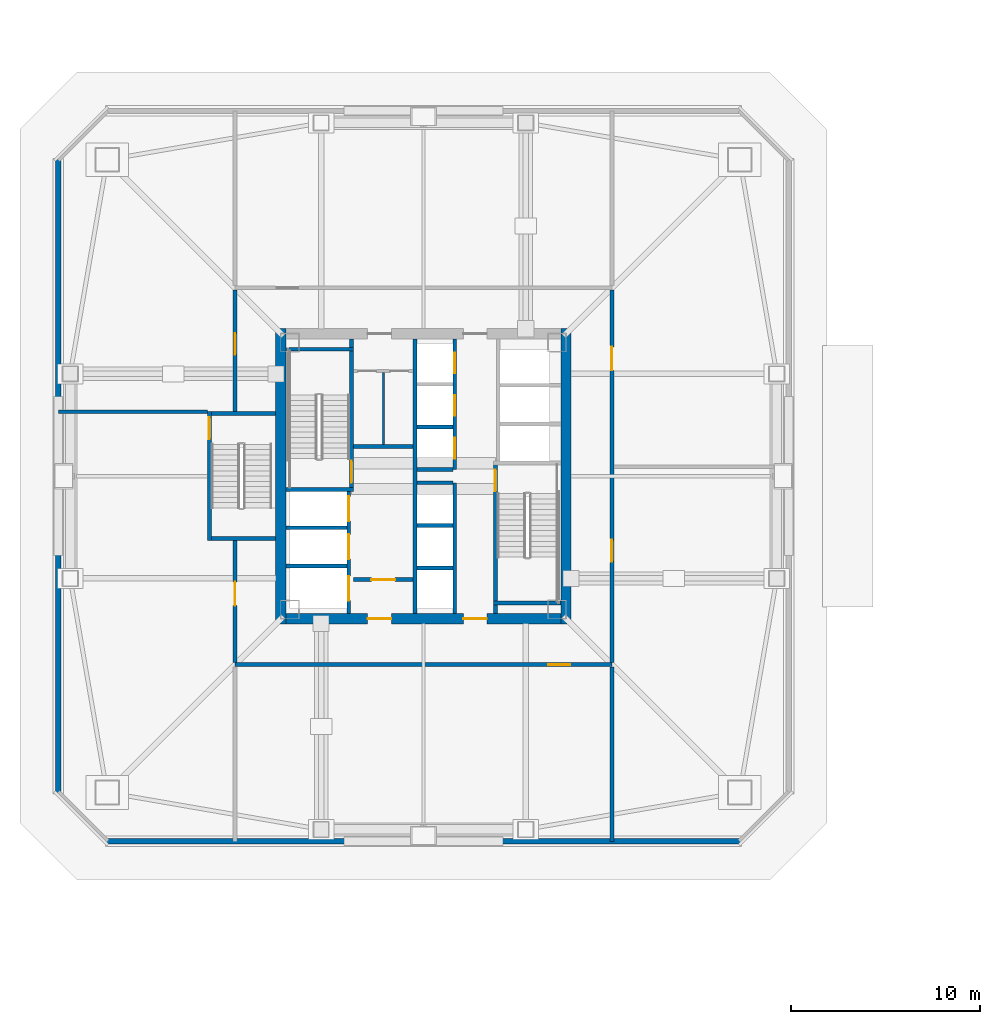
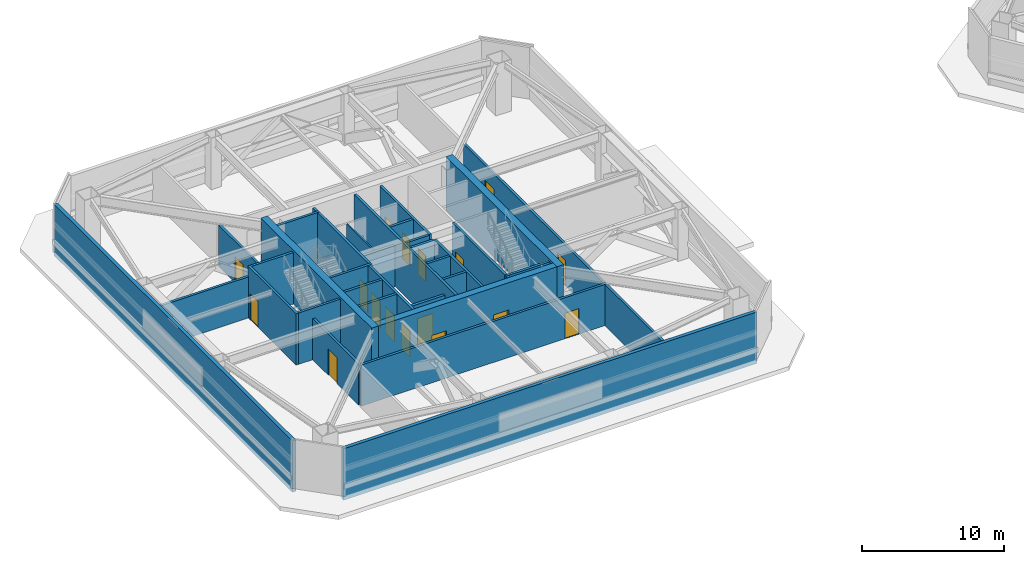
# One storey, part 5 of 15: 33 walls, 17 doors, 17 openings.
"""IFC4 building model written with IfcOpenShell, lengths in metres."""

from ifc_helpers import new_model, si_unit, direction, frame, frame_2d, origin, place, context, subcontext, project, spatial, rectangle, extrude, material, layer, layer_set, type_object, element, fill, save


model = new_model("IFC4")

# Units and contexts
model_context = context("Model", 3, precision=1e-05, world=origin(), true_north=direction((0.0, 1.0)))
body_context = subcontext(model_context, "Body", "Model", "MODEL_VIEW")
ifc_project = project(units=[si_unit("LENGTHUNIT", "METRE"), si_unit("AREAUNIT", "SQUARE_METRE"), si_unit("VOLUMEUNIT", "CUBIC_METRE"), si_unit("PLANEANGLEUNIT", "RADIAN"), si_unit("MASSUNIT", "GRAM", prefix="KILO")], contexts=[model_context])

# Site, building, storey
site_placement = place(None, origin())
site = spatial("IfcSite", under=ifc_project, at=site_placement, CompositionType="ELEMENT")
building_placement = place(site_placement, origin())
building = spatial("IfcBuilding", under=site, at=building_placement, Name="Tashvorn Skyway Center", CompositionType="ELEMENT")
storey_placement = place(building_placement, frame((0.0, 0.0, 109.800048828125)))
storey = spatial("IfcBuildingStorey", under=building, at=storey_placement, Name="L29", CompositionType="ELEMENT", Elevation=109.800048828125)

# Walls
ifc_material_1 = material(Name="Concrete C60/75", Category="concrete")
ifc_layer_1 = layer(ifc_material_1, 0.550048828125)
ifc_layer_set_1 = layer_set([ifc_layer_1], Name="Concrete C60/75")
wall_type_1 = type_object("IfcWallType", Name="WALL-CORE-550", PredefinedType="SHEAR", material=ifc_layer_set_1)
for number, where, z_axis, x_axis, name in (
    (1, (34.47509765625, 24.199951171875, 0.0), (0.0, 0.0, 1.0), (0.0, 1.0, 0.0), "Tower 1 L29 West Core Shear Wall"),
    (2, (49.52490234375, 39.800048828125, 0.0), (0.0, 0.0, 1.0), (0.0, -1.0, 0.0), "Tower 1 L29 East Core Shear Wall"),
):
    element("IfcWall", number, at=place(storey_placement, frame(where, z_axis=z_axis, x_axis=x_axis)), inside=storey, type_object=wall_type_1, Name=name, PredefinedType="SHEAR", context=body_context, shape_type="SweptSolid", body=[
        extrude(rectangle(XDim=15.60009765625, YDim=0.550048828125, at=frame_2d((7.800048828125, 0.0))), origin(), (0.0, 0.0, 1.0), 4.599853515625),
    ])

# Wall, openings, doors
wall_1_placement = place(storey_placement, frame((49.25, 24.47509765625, 0.0), z_axis=(0.0, 0.0, 1.0), x_axis=(-1.0, 0.0, 0.0)))
wall_1 = element("IfcWall", 3, at=wall_1_placement, inside=storey, type_object=wall_type_1, Name="Tower 1 L29 South Core Shear Wall", PredefinedType="SHEAR", context=body_context, shape_type="SweptSolid", body=[
    extrude(rectangle(XDim=14.5, YDim=0.550048828125, at=frame_2d((7.25, 0.0))), origin(), (0.0, 0.0, 1.0), 4.599853515625),
])
opening_1_placement = place(wall_1_placement, frame((8.949951171875, 0.0, 0.0)))
opening_1 = element("IfcOpeningElement", 4, at=opening_1_placement, cuts=wall_1, Name="Opening D-FFL-1250", PredefinedType="OPENING", context=body_context, shape_type="SweptSolid", body=[
    extrude(rectangle(XDim=1.25, YDim=2.25, at=frame_2d((0.625, 1.125))), frame((0.0, 0.284912109375, 0.0), z_axis=(0.0, -1.0, 0.0), x_axis=(1.0, 0.0, 0.0)), (0.0, 0.0, 1.0), 0.570068359375),
])
opening_2_placement = place(wall_1_placement, frame((3.89990234375, 0.0, 0.0)))
opening_2 = element("IfcOpeningElement", 5, at=opening_2_placement, cuts=wall_1, Name="Opening D-FFL-1250", PredefinedType="OPENING", context=body_context, shape_type="SweptSolid", body=[
    extrude(rectangle(XDim=1.25, YDim=2.25, at=frame_2d((0.625, 1.125))), frame((0.0, 0.284912109375, 0.0), z_axis=(0.0, -1.0, 0.0), x_axis=(1.0, 0.0, 0.0)), (0.0, 0.0, 1.0), 0.570068359375),
])
ifc_material_2 = material(Name="Hollow galvanized steel fire door assembly", Category="steel")
door_type_1 = type_object("IfcDoorType", Name="DOOR-FFL-1250", OperationType="NOTDEFINED", PredefinedType="DOOR", material=ifc_material_2)
door_1_placement = place(opening_1_placement, origin())
door_1 = element("IfcDoor", 6, at=door_1_placement, inside=storey, type_object=door_type_1, Name="Tower 1 L29 Core South Firefighting Exit Door", OperationType="SINGLE_SWING_LEFT", OverallHeight=2.25, OverallWidth=1.25, PredefinedType="DOOR", context=body_context, shape_type="SweptSolid", body=[
    extrude(rectangle(XDim=1.25, YDim=2.25, at=frame_2d((0.625, 1.125))), frame((0.0, 0.02490234375, 0.0), z_axis=(0.0, -1.0, 0.0), x_axis=(1.0, 0.0, 0.0)), (0.0, 0.0, 1.0), 0.050048828125),
])
fill(opening_1, door_1)
door_2_placement = place(opening_2_placement, origin())
door_2 = element("IfcDoor", 7, at=door_2_placement, inside=storey, type_object=door_type_1, Name="Tower 1 L29 Core South Lift Lobby Door", OperationType="SINGLE_SWING_RIGHT", OverallHeight=2.25, OverallWidth=1.25, PredefinedType="DOOR", context=body_context, shape_type="SweptSolid", body=[
    extrude(rectangle(XDim=1.25, YDim=2.25, at=frame_2d((0.625, 1.125))), frame((0.0, 0.02490234375, 0.0), z_axis=(0.0, -1.0, 0.0), x_axis=(1.0, 0.0, 0.0)), (0.0, 0.0, 1.0), 0.050048828125),
])
fill(opening_2, door_2)

# Walls
ifc_material_3 = material(Name="Precast concrete C40/50", Category="concrete")
ifc_layer_2 = layer(ifc_material_3, 0.280029296875)
ifc_layer_set_2 = layer_set([ifc_layer_2], Name="Precast concrete C40/50")
wall_type_2 = type_object("IfcWallType", Name="WALL-EXT-280", PredefinedType="SOLIDWALL", material=ifc_layer_set_2)
for number, where, z_axis, x_axis, name in (
    (8, (58.780029296875, 12.719970703125, 0.0), (0.0, 0.0, 1.0), (-1.0, 0.0, 0.0), "Tower 1 L29 South Mechanical Belt Wall"),
    (9, (22.719970703125, 15.219970703125, 0.0), (0.0, 0.0, 1.0), (0.0, 1.0, 0.0), "Tower 1 L29 West Mechanical Belt Wall"),
):
    element("IfcWall", number, at=place(storey_placement, frame(where, z_axis=z_axis, x_axis=x_axis)), inside=storey, type_object=wall_type_2, Name=name, PredefinedType="SOLIDWALL", context=body_context, shape_type="SweptSolid", body=[
        extrude(rectangle(XDim=33.56005859375, YDim=0.280029296875, at=frame_2d((16.780029296875, 0.0))), origin(), (0.0, 0.0, 1.0), 4.419921875),
    ])
ifc_material_4 = material(Name="Concrete C40/50", Category="concrete")
ifc_layer_3 = layer(ifc_material_4, 0.219970703125)
ifc_layer_set_3 = layer_set([ifc_layer_3], Name="Concrete C40/50")
wall_type_3 = type_object("IfcWallType", Name="WALL-FFL-220", PredefinedType="SOLIDWALL", material=ifc_layer_set_3)
wall_2_placement = place(storey_placement, frame((38.300048828125, 33.56005859375, 0.0), z_axis=(0.0, 0.0, 1.0), x_axis=(1.0, 0.0, 0.0)))
element("IfcWall", 10, at=wall_2_placement, inside=storey, type_object=wall_type_3, Name="Tower 1 L29 Firefighting Lobby North Wall", PredefinedType="SOLIDWALL", context=body_context, shape_type="SweptSolid", body=[
    extrude(rectangle(XDim=3.14990234375, YDim=0.219970703125, at=frame_2d((1.574951171875, 0.0))), origin(), (0.0, 0.0, 1.0), 3.531005859375),
])

# Wall, opening, door
wall_3_placement = place(storey_placement, frame((38.300048828125, 26.5400390625, 0.0), z_axis=(0.0, 0.0, 1.0), x_axis=(1.0, 0.0, 0.0)))
wall_3 = element("IfcWall", 11, at=wall_3_placement, inside=storey, type_object=wall_type_3, Name="Tower 1 L29 Firefighting Lobby South Wall", PredefinedType="SOLIDWALL", context=body_context, shape_type="SweptSolid", body=[
    extrude(rectangle(XDim=3.14990234375, YDim=0.219970703125, at=frame_2d((1.574951171875, 0.0))), origin(), (0.0, 0.0, 1.0), 3.531005859375),
])
opening_3_placement = place(wall_3_placement, frame((0.949951171875, 0.0, 0.0)))
opening_3 = element("IfcOpeningElement", 12, at=opening_3_placement, cuts=wall_3, Name="Opening D-FFL-1250", PredefinedType="OPENING", context=body_context, shape_type="SweptSolid", body=[
    extrude(rectangle(XDim=1.25, YDim=2.25, at=frame_2d((0.625, 1.125))), frame((0.0, 0.119873046875, 0.0), z_axis=(0.0, -1.0, 0.0), x_axis=(1.0, 0.0, 0.0)), (0.0, 0.0, 1.0), 0.239990234375),
])
door_3_placement = place(opening_3_placement, origin())
door_3 = element("IfcDoor", 13, at=door_3_placement, inside=storey, type_object=door_type_1, Name="Tower 1 L29 Firefighting Lobby Egress Door", OperationType="SINGLE_SWING_LEFT", OverallHeight=2.25, OverallWidth=1.25, PredefinedType="DOOR", context=body_context, shape_type="SweptSolid", body=[
    extrude(rectangle(XDim=1.25, YDim=2.25, at=frame_2d((0.625, 1.125))), frame((0.0, 0.02490234375, 0.0), z_axis=(0.0, -1.0, 0.0), x_axis=(1.0, 0.0, 0.0)), (0.0, 0.0, 1.0), 0.050048828125),
])
fill(opening_3, door_3)

# Walls
ifc_material_5 = material(Name="Gypsum board on cold-formed steel stud framing", Category="steel")
ifc_layer_4 = layer(ifc_material_5, 0.110107421875)
ifc_layer_set_4 = layer_set([ifc_layer_4], Name="Gypsum board on cold-formed steel stud framing")
wall_type_4 = type_object("IfcWallType", Name="WALL-RATED-110", PredefinedType="PARTITIONING", material=ifc_layer_set_4)
wall_4_placement = place(storey_placement, frame((39.8798828125, 33.679931640625, 0.0), z_axis=(0.0, 0.0, 1.0), x_axis=(0.0, 1.0, 0.0)))
element("IfcWall", 14, at=wall_4_placement, inside=storey, type_object=wall_type_4, Name="Tower 1 L29 Core Split Partition", PredefinedType="PARTITIONING", context=body_context, shape_type="SweptSolid", body=[
    extrude(rectangle(XDim=3.800048828125, YDim=0.110107421875, at=frame_2d((1.89990234375, 0.0))), origin(), (0.0, 0.0, 1.0), 3.531005859375),
])
ifc_layer_5 = layer(ifc_material_4, 0.199951171875)
ifc_layer_set_5 = layer_set([ifc_layer_5], Name="Concrete C40/50")
wall_type_5 = type_object("IfcWallType", Name="WALL-SHAFT-200", PredefinedType="SOLIDWALL", material=ifc_layer_set_5)
for number, where, z_axis, x_axis, name in (
    (15, (34.75, 27.25, 0.0), (0.0, 0.0, 1.0), (1.0, 0.0, 0.0), "Tower 1 L29 FSAE Shaft Divider"),
    (16, (34.75, 29.280029296875, 0.0), (0.0, 0.0, 1.0), (1.0, 0.0, 0.0), "Tower 1 L29 FSAE Shaft Divider"),
):
    element("IfcWall", number, at=place(storey_placement, frame(where, z_axis=z_axis, x_axis=x_axis)), inside=storey, type_object=wall_type_5, Name=name, PredefinedType="SOLIDWALL", context=body_context, shape_type="SweptSolid", body=[
        extrude(rectangle(XDim=3.199951171875, YDim=0.199951171875, at=frame_2d((1.60009765625, 0.0))), origin(), (0.0, 0.0, 1.0), 4.419921875),
    ])
wall_5_placement = place(storey_placement, frame((43.64990234375, 24.75, 0.0), z_axis=(0.0, 0.0, 1.0), x_axis=(0.0, 1.0, 0.0)))
element("IfcWall", 17, at=wall_5_placement, inside=storey, type_object=wall_type_5, Name="Tower 1 L29 Low-Rise Core Wall", PredefinedType="SOLIDWALL", context=body_context, shape_type="SweptSolid", body=[
    extrude(rectangle(XDim=6.89990234375, YDim=0.199951171875, at=frame_2d((3.449951171875, 0.0))), origin(), (0.0, 0.0, 1.0), 4.419921875),
])
for number, where, z_axis, x_axis, name in (
    (18, (41.669921875, 27.14990234375, 0.0), (0.0, 0.0, 1.0), (1.0, 0.0, 0.0), "Tower 1 L29 Low-Rise Shaft Divider"),
    (19, (41.669921875, 29.39990234375, 0.0), (0.0, 0.0, 1.0), (1.0, 0.0, 0.0), "Tower 1 L29 Low-Rise Shaft Divider"),
    (20, (41.669921875, 31.64990234375, 0.0), (0.0, 0.0, 1.0), (1.0, 0.0, 0.0), "Tower 1 L29 Low-Rise Shaft Divider"),
):
    element("IfcWall", number, at=place(storey_placement, frame(where, z_axis=z_axis, x_axis=x_axis)), inside=storey, type_object=wall_type_5, Name=name, PredefinedType="SOLIDWALL", context=body_context, shape_type="SweptSolid", body=[
        extrude(rectangle(XDim=1.880126953125, YDim=0.199951171875, at=frame_2d((0.93994140625, 0.0))), origin(), (0.0, 0.0, 1.0), 4.419921875),
    ])

# Wall, openings, doors
wall_6_placement = place(storey_placement, frame((43.64990234375, 32.35009765625, 0.0), z_axis=(0.0, 0.0, 1.0), x_axis=(0.0, 1.0, 0.0)))
wall_6 = element("IfcWall", 21, at=wall_6_placement, inside=storey, type_object=wall_type_5, Name="Tower 1 L29 Mid-Rise Core Wall", PredefinedType="SOLIDWALL", context=body_context, shape_type="SweptSolid", body=[
    extrude(rectangle(XDim=6.89990234375, YDim=0.199951171875, at=frame_2d((3.449951171875, 0.0))), origin(), (0.0, 0.0, 1.0), 4.419921875),
])
opening_4_placement = place(wall_6_placement, frame((0.574951171875, 0.0, 0.0)))
opening_4 = element("IfcOpeningElement", 22, at=opening_4_placement, cuts=wall_6, Name="Opening LD-MR-T1-1-L29", PredefinedType="OPENING", context=body_context, shape_type="SweptSolid", body=[
    extrude(rectangle(XDim=1.10009765625, YDim=2.199951171875, at=frame_2d((0.550048828125, 1.10009765625))), frame((0.0, 0.10986328125, 0.0), z_axis=(0.0, -1.0, 0.0), x_axis=(1.0, 0.0, 0.0)), (0.0, 0.0, 1.0), 0.219970703125),
])
opening_5_placement = place(wall_6_placement, frame((2.824951171875, 0.0, 0.0)))
opening_5 = element("IfcOpeningElement", 23, at=opening_5_placement, cuts=wall_6, Name="Opening LD-MR-T1-2-L29", PredefinedType="OPENING", context=body_context, shape_type="SweptSolid", body=[
    extrude(rectangle(XDim=1.10009765625, YDim=2.199951171875, at=frame_2d((0.550048828125, 1.10009765625))), frame((0.0, 0.10986328125, 0.0), z_axis=(0.0, -1.0, 0.0), x_axis=(1.0, 0.0, 0.0)), (0.0, 0.0, 1.0), 0.219970703125),
])
opening_6_placement = place(wall_6_placement, frame((5.074951171875, 0.0, 0.0)))
opening_6 = element("IfcOpeningElement", 24, at=opening_6_placement, cuts=wall_6, Name="Opening LD-MR-T1-3-L29", PredefinedType="OPENING", context=body_context, shape_type="SweptSolid", body=[
    extrude(rectangle(XDim=1.10009765625, YDim=2.199951171875, at=frame_2d((0.550048828125, 1.10009765625))), frame((0.0, 0.10986328125, 0.0), z_axis=(0.0, -1.0, 0.0), x_axis=(1.0, 0.0, 0.0)), (0.0, 0.0, 1.0), 0.219970703125),
])
ifc_material_6 = material(Name="Stainless steel landing door", Category="steel")
door_type_2 = type_object("IfcDoorType", Name="DOOR-LIFT-1100", OperationType="SLIDING_TO_LEFT", PredefinedType="DOOR", material=ifc_material_6)
door_4_placement = place(opening_4_placement, origin())
door_4 = element("IfcDoor", 25, at=door_4_placement, inside=storey, type_object=door_type_2, Name="Lift MR-T1-1 L29 Landing Door", OperationType="SLIDING_TO_LEFT", OverallHeight=2.199951171875, OverallWidth=1.10009765625, PredefinedType="DOOR", context=body_context, shape_type="SweptSolid", body=[
    extrude(rectangle(XDim=1.10009765625, YDim=2.199951171875, at=frame_2d((0.550048828125, 1.10009765625))), frame((0.0, 0.02490234375, 0.0), z_axis=(0.0, -1.0, 0.0), x_axis=(1.0, 0.0, 0.0)), (0.0, 0.0, 1.0), 0.050048828125),
])
fill(opening_4, door_4)
door_5_placement = place(opening_5_placement, origin())
door_5 = element("IfcDoor", 26, at=door_5_placement, inside=storey, type_object=door_type_2, Name="Lift MR-T1-2 L29 Landing Door", OperationType="SLIDING_TO_LEFT", OverallHeight=2.199951171875, OverallWidth=1.10009765625, PredefinedType="DOOR", context=body_context, shape_type="SweptSolid", body=[
    extrude(rectangle(XDim=1.10009765625, YDim=2.199951171875, at=frame_2d((0.550048828125, 1.10009765625))), frame((0.0, 0.02490234375, 0.0), z_axis=(0.0, -1.0, 0.0), x_axis=(1.0, 0.0, 0.0)), (0.0, 0.0, 1.0), 0.050048828125),
])
fill(opening_5, door_5)
door_6_placement = place(opening_6_placement, origin())
door_6 = element("IfcDoor", 27, at=door_6_placement, inside=storey, type_object=door_type_2, Name="Lift MR-T1-3 L29 Landing Door", OperationType="SLIDING_TO_LEFT", OverallHeight=2.199951171875, OverallWidth=1.10009765625, PredefinedType="DOOR", context=body_context, shape_type="SweptSolid", body=[
    extrude(rectangle(XDim=1.10009765625, YDim=2.199951171875, at=frame_2d((0.550048828125, 1.10009765625))), frame((0.0, 0.02490234375, 0.0), z_axis=(0.0, -1.0, 0.0), x_axis=(1.0, 0.0, 0.0)), (0.0, 0.0, 1.0), 0.050048828125),
])
fill(opening_6, door_6)

# Walls
for number, where, z_axis, x_axis, name in (
    (28, (41.669921875, 32.35009765625, 0.0), (0.0, 0.0, 1.0), (1.0, 0.0, 0.0), "Tower 1 L29 Mid-Rise Shaft Divider"),
    (29, (41.669921875, 34.60009765625, 0.0), (0.0, 0.0, 1.0), (1.0, 0.0, 0.0), "Tower 1 L29 Mid-Rise Shaft Divider"),
):
    element("IfcWall", number, at=place(storey_placement, frame(where, z_axis=z_axis, x_axis=x_axis)), inside=storey, type_object=wall_type_5, Name=name, PredefinedType="SOLIDWALL", context=body_context, shape_type="SweptSolid", body=[
        extrude(rectangle(XDim=1.880126953125, YDim=0.199951171875, at=frame_2d((0.93994140625, 0.0))), origin(), (0.0, 0.0, 1.0), 4.419921875),
    ])

# Wall, opening, door
wall_7_placement = place(storey_placement, frame((51.949951171875, 22.050048828125, 0.0), z_axis=(0.0, 0.0, 1.0), x_axis=(-1.0, 0.0, 0.0)))
wall_7 = element("IfcWall", 30, at=wall_7_placement, inside=storey, type_object=wall_type_5, Name="Tower 1 L29 Plant Corridor South Wall", PredefinedType="SOLIDWALL", context=body_context, shape_type="SweptSolid", body=[
    extrude(rectangle(XDim=19.89990234375, YDim=0.199951171875, at=frame_2d((9.949951171875, 0.0))), origin(), (0.0, 0.0, 1.0), 3.531005859375),
])
opening_7_placement = place(wall_7_placement, frame((2.199951171875, 0.0, 0.0)))
opening_7 = element("IfcOpeningElement", 31, at=opening_7_placement, cuts=wall_7, Name="Opening D-ST-1150", PredefinedType="OPENING", context=body_context, shape_type="SweptSolid", body=[
    extrude(rectangle(XDim=1.14990234375, YDim=2.199951171875, at=frame_2d((0.574951171875, 1.10009765625))), frame((0.0, 0.10986328125, 0.0), z_axis=(0.0, -1.0, 0.0), x_axis=(1.0, 0.0, 0.0)), (0.0, 0.0, 1.0), 0.219970703125),
])
door_type_3 = type_object("IfcDoorType", Name="DOOR-STAIR-1150", OperationType="NOTDEFINED", PredefinedType="DOOR", material=ifc_material_2)
door_7_placement = place(opening_7_placement, origin())
door_7 = element("IfcDoor", 32, at=door_7_placement, inside=storey, type_object=door_type_3, Name="Tower 1 L29 Fan Plant Door", OperationType="SINGLE_SWING_LEFT", OverallHeight=2.199951171875, OverallWidth=1.14990234375, PredefinedType="DOOR", context=body_context, shape_type="SweptSolid", body=[
    extrude(rectangle(XDim=1.14990234375, YDim=2.199951171875, at=frame_2d((0.574951171875, 1.10009765625))), frame((0.0, 0.02490234375, 0.0), z_axis=(0.0, -1.0, 0.0), x_axis=(1.0, 0.0, 0.0)), (0.0, 0.0, 1.0), 0.050048828125),
])
fill(opening_7, door_7)

# Wall, openings, doors
wall_8_placement = place(storey_placement, frame((51.949951171875, 41.830078125, 0.0), z_axis=(0.0, 0.0, 1.0), x_axis=(0.0, -1.0, 0.0)))
wall_8 = element("IfcWall", 33, at=wall_8_placement, inside=storey, type_object=wall_type_5, Name="Tower 1 L29 Plant Corridor East Wall", PredefinedType="SOLIDWALL", context=body_context, shape_type="SweptSolid", body=[
    extrude(rectangle(XDim=19.66015625, YDim=0.199951171875, at=frame_2d((9.830078125, 0.0))), origin(), (0.0, 0.0, 1.0), 3.531005859375),
])
opening_8_placement = place(wall_8_placement, frame((3.0, 0.0, 0.0)))
opening_8 = element("IfcOpeningElement", 34, at=opening_8_placement, cuts=wall_8, Name="Opening D-FFL-1250", PredefinedType="OPENING", context=body_context, shape_type="SweptSolid", body=[
    extrude(rectangle(XDim=1.25, YDim=2.25, at=frame_2d((0.625, 1.125))), frame((0.0, 0.10986328125, 0.0), z_axis=(0.0, -1.0, 0.0), x_axis=(1.0, 0.0, 0.0)), (0.0, 0.0, 1.0), 0.219970703125),
])
opening_9_placement = place(wall_8_placement, frame((13.199951171875, 0.0, 0.0)))
opening_9 = element("IfcOpeningElement", 35, at=opening_9_placement, cuts=wall_8, Name="Opening D-ST-1150", PredefinedType="OPENING", context=body_context, shape_type="SweptSolid", body=[
    extrude(rectangle(XDim=1.14990234375, YDim=2.199951171875, at=frame_2d((0.574951171875, 1.10009765625))), frame((0.0, 0.10986328125, 0.0), z_axis=(0.0, -1.0, 0.0), x_axis=(1.0, 0.0, 0.0)), (0.0, 0.0, 1.0), 0.219970703125),
])
door_8_placement = place(opening_8_placement, origin())
door_8 = element("IfcDoor", 36, at=door_8_placement, inside=storey, type_object=door_type_1, Name="Tower 1 L29 East Refuge Area Door", OperationType="SINGLE_SWING_RIGHT", OverallHeight=2.25, OverallWidth=1.25, PredefinedType="DOOR", context=body_context, shape_type="SweptSolid", body=[
    extrude(rectangle(XDim=1.25, YDim=2.25, at=frame_2d((0.625, 1.125))), frame((0.0, 0.02490234375, 0.0), z_axis=(0.0, -1.0, 0.0), x_axis=(1.0, 0.0, 0.0)), (0.0, 0.0, 1.0), 0.050048828125),
])
fill(opening_8, door_8)
door_9_placement = place(opening_9_placement, origin())
door_9 = element("IfcDoor", 37, at=door_9_placement, inside=storey, type_object=door_type_3, Name="Tower 1 L29 Switchgear Plant Door", OperationType="SINGLE_SWING_LEFT", OverallHeight=2.199951171875, OverallWidth=1.14990234375, PredefinedType="DOOR", context=body_context, shape_type="SweptSolid", body=[
    extrude(rectangle(XDim=1.14990234375, YDim=2.199951171875, at=frame_2d((0.574951171875, 1.10009765625))), frame((0.0, 0.02490234375, 0.0), z_axis=(0.0, -1.0, 0.0), x_axis=(1.0, 0.0, 0.0)), (0.0, 0.0, 1.0), 0.050048828125),
])
fill(opening_9, door_9)

# Wall, opening, door
wall_9_placement = place(storey_placement, frame((32.050048828125, 22.169921875, 0.0), z_axis=(0.0, 0.0, 1.0), x_axis=(0.0, 1.0, 0.0)))
wall_9 = element("IfcWall", 38, at=wall_9_placement, inside=storey, type_object=wall_type_5, Name="Tower 1 L29 Plant Corridor West Wall", PredefinedType="SOLIDWALL", context=body_context, shape_type="SweptSolid", body=[
    extrude(rectangle(XDim=6.43017578125, YDim=0.199951171875, at=frame_2d((3.215087890625, 0.0))), origin(), (0.0, 0.0, 1.0), 3.531005859375),
])
opening_10_placement = place(wall_9_placement, frame((3.0, 0.0, 0.0)))
opening_10 = element("IfcOpeningElement", 39, at=opening_10_placement, cuts=wall_9, Name="Opening D-FFL-1250", PredefinedType="OPENING", context=body_context, shape_type="SweptSolid", body=[
    extrude(rectangle(XDim=1.25, YDim=2.25, at=frame_2d((0.625, 1.125))), frame((0.0, 0.10986328125, 0.0), z_axis=(0.0, -1.0, 0.0), x_axis=(1.0, 0.0, 0.0)), (0.0, 0.0, 1.0), 0.219970703125),
])
door_10_placement = place(opening_10_placement, origin())
door_10 = element("IfcDoor", 40, at=door_10_placement, inside=storey, type_object=door_type_1, Name="Tower 1 L29 West Refuge Area Door", OperationType="SINGLE_SWING_RIGHT", OverallHeight=2.25, OverallWidth=1.25, PredefinedType="DOOR", context=body_context, shape_type="SweptSolid", body=[
    extrude(rectangle(XDim=1.25, YDim=2.25, at=frame_2d((0.625, 1.125))), frame((0.0, 0.02490234375, 0.0), z_axis=(0.0, -1.0, 0.0), x_axis=(1.0, 0.0, 0.0)), (0.0, 0.0, 1.0), 0.050048828125),
])
fill(opening_10, door_10)

wall_10_placement = place(storey_placement, frame((32.050048828125, 35.39990234375, 0.0), z_axis=(0.0, 0.0, 1.0), x_axis=(0.0, 1.0, 0.0)))
wall_10 = element("IfcWall", 41, at=wall_10_placement, inside=storey, type_object=wall_type_5, Name="Tower 1 L29 Plant Corridor West Wall North", PredefinedType="SOLIDWALL", context=body_context, shape_type="SweptSolid", body=[
    extrude(rectangle(XDim=6.43017578125, YDim=0.199951171875, at=frame_2d((3.215087890625, 0.0))), origin(), (0.0, 0.0, 1.0), 3.531005859375),
])
opening_11_placement = place(wall_10_placement, frame((3.0, 0.0, 0.0)))
opening_11 = element("IfcOpeningElement", 42, at=opening_11_placement, cuts=wall_10, Name="Opening D-ST-1150", PredefinedType="OPENING", context=body_context, shape_type="SweptSolid", body=[
    extrude(rectangle(XDim=1.14990234375, YDim=2.199951171875, at=frame_2d((0.574951171875, 1.10009765625))), frame((0.0, 0.10986328125, 0.0), z_axis=(0.0, -1.0, 0.0), x_axis=(1.0, 0.0, 0.0)), (0.0, 0.0, 1.0), 0.219970703125),
])
door_11_placement = place(opening_11_placement, origin())
door_11 = element("IfcDoor", 43, at=door_11_placement, inside=storey, type_object=door_type_3, Name="Tower 1 L29 Pump Plant Door", OperationType="SINGLE_SWING_LEFT", OverallHeight=2.199951171875, OverallWidth=1.14990234375, PredefinedType="DOOR", context=body_context, shape_type="SweptSolid", body=[
    extrude(rectangle(XDim=1.14990234375, YDim=2.199951171875, at=frame_2d((0.574951171875, 1.10009765625))), frame((0.0, 0.02490234375, 0.0), z_axis=(0.0, -1.0, 0.0), x_axis=(1.0, 0.0, 0.0)), (0.0, 0.0, 1.0), 0.050048828125),
])
fill(opening_11, door_11)

# Walls
wall_11_placement = place(storey_placement, frame((51.949951171875, 21.929931640625, 0.0), z_axis=(0.0, 0.0, 1.0), x_axis=(0.0, -1.0, 0.0)))
element("IfcWall", 44, at=wall_11_placement, inside=storey, type_object=wall_type_5, Name="Tower 1 L29 Plant Radial SE", PredefinedType="SOLIDWALL", context=body_context, shape_type="SweptSolid", body=[
    extrude(rectangle(XDim=9.2099609375, YDim=0.199951171875, at=frame_2d((4.60498046875, 0.0))), origin(), (0.0, 0.0, 1.0), 3.531005859375),
])
wall_12_placement = place(storey_placement, frame((22.719970703125, 35.39990234375, 0.0), z_axis=(0.0, 0.0, 1.0), x_axis=(1.0, 0.0, 0.0)))
element("IfcWall", 45, at=wall_12_placement, inside=storey, type_object=wall_type_5, Name="Tower 1 L29 Refuge West Fire Wall", PredefinedType="SOLIDWALL", context=body_context, shape_type="SweptSolid", body=[
    extrude(rectangle(XDim=7.880126953125, YDim=0.199951171875, at=frame_2d((3.93994140625, 0.0))), origin(), (0.0, 0.0, 1.0), 3.531005859375),
])

# Wall, opening, door
ifc_layer_6 = layer(ifc_material_4, 0.199951171875)
ifc_layer_set_6 = layer_set([ifc_layer_6], Name="Concrete C40/50")
wall_type_6 = type_object("IfcWallType", Name="WALL-STSHF-200", PredefinedType="SHEAR", material=ifc_layer_set_6)
wall_13_placement = place(storey_placement, frame((38.199951171875, 31.199951171875, 0.0), z_axis=(0.0, 0.0, 1.0), x_axis=(0.0, 1.0, 0.0)))
wall_13 = element("IfcWall", 46, at=wall_13_placement, inside=storey, type_object=wall_type_6, Name="Tower 1 L29 Stair 1 Enclosure Wall", PredefinedType="SHEAR", context=body_context, shape_type="SweptSolid", body=[
    extrude(rectangle(XDim=8.050048828125, YDim=0.199951171875, at=frame_2d((4.02490234375, 0.0))), origin(), (0.0, 0.0, 1.0), 4.419921875),
])
opening_12_placement = place(wall_13_placement, frame((0.449951171875, 0.0, 0.0)))
opening_12 = element("IfcOpeningElement", 47, at=opening_12_placement, cuts=wall_13, Name="Opening D-ST-1150", PredefinedType="OPENING", context=body_context, shape_type="SweptSolid", body=[
    extrude(rectangle(XDim=1.14990234375, YDim=2.199951171875, at=frame_2d((0.574951171875, 1.10009765625))), frame((0.0, 0.10986328125, 0.0), z_axis=(0.0, -1.0, 0.0), x_axis=(1.0, 0.0, 0.0)), (0.0, 0.0, 1.0), 0.219970703125),
])
door_12_placement = place(opening_12_placement, origin())
door_12 = element("IfcDoor", 48, at=door_12_placement, inside=storey, type_object=door_type_3, Name="Tower 1 L29 Exit Stair 1 Door", OperationType="SINGLE_SWING_RIGHT", OverallHeight=2.199951171875, OverallWidth=1.14990234375, PredefinedType="DOOR", context=body_context, shape_type="SweptSolid", body=[
    extrude(rectangle(XDim=1.14990234375, YDim=2.199951171875, at=frame_2d((0.574951171875, 1.10009765625))), frame((0.0, 0.02490234375, 0.0), z_axis=(0.0, -1.0, 0.0), x_axis=(1.0, 0.0, 0.0)), (0.0, 0.0, 1.0), 0.050048828125),
])
fill(opening_12, door_12)

# Walls
for number, where, z_axis, x_axis, name in (
    (49, (34.75, 31.300048828125, 0.0), (0.0, 0.0, 1.0), (1.0, 0.0, 0.0), "Tower 1 L29 Stair 1 South Wall"),
    (50, (34.75, 38.699951171875, 0.0), (0.0, 0.0, 1.0), (1.0, 0.0, 0.0), "Tower 1 L29 Stair 1 North Wall"),
):
    element("IfcWall", number, at=place(storey_placement, frame(where, z_axis=z_axis, x_axis=x_axis)), inside=storey, type_object=wall_type_6, Name=name, PredefinedType="SHEAR", context=body_context, shape_type="SweptSolid", body=[
        extrude(rectangle(XDim=3.550048828125, YDim=0.199951171875, at=frame_2d((1.77490234375, 0.0))), origin(), (0.0, 0.0, 1.0), 4.419921875),
    ])

# Wall, opening, door
wall_14_placement = place(storey_placement, frame((45.800048828125, 32.800048828125, 0.0), z_axis=(0.0, 0.0, 1.0), x_axis=(0.0, -1.0, 0.0)))
wall_14 = element("IfcWall", 51, at=wall_14_placement, inside=storey, type_object=wall_type_6, Name="Tower 1 L29 Stair 2 Enclosure Wall", PredefinedType="SHEAR", context=body_context, shape_type="SweptSolid", body=[
    extrude(rectangle(XDim=8.050048828125, YDim=0.199951171875, at=frame_2d((4.02490234375, 0.0))), origin(), (0.0, 0.0, 1.0), 4.419921875),
])
opening_13_placement = place(wall_14_placement, frame((0.449951171875, 0.0, 0.0)))
opening_13 = element("IfcOpeningElement", 52, at=opening_13_placement, cuts=wall_14, Name="Opening D-ST-1150", PredefinedType="OPENING", context=body_context, shape_type="SweptSolid", body=[
    extrude(rectangle(XDim=1.14990234375, YDim=2.199951171875, at=frame_2d((0.574951171875, 1.10009765625))), frame((0.0, 0.10986328125, 0.0), z_axis=(0.0, -1.0, 0.0), x_axis=(1.0, 0.0, 0.0)), (0.0, 0.0, 1.0), 0.219970703125),
])
door_13_placement = place(opening_13_placement, origin())
door_13 = element("IfcDoor", 53, at=door_13_placement, inside=storey, type_object=door_type_3, Name="Tower 1 L29 Exit Stair 2 Door", OperationType="SINGLE_SWING_RIGHT", OverallHeight=2.199951171875, OverallWidth=1.14990234375, PredefinedType="DOOR", context=body_context, shape_type="SweptSolid", body=[
    extrude(rectangle(XDim=1.14990234375, YDim=2.199951171875, at=frame_2d((0.574951171875, 1.10009765625))), frame((0.0, 0.02490234375, 0.0), z_axis=(0.0, -1.0, 0.0), x_axis=(1.0, 0.0, 0.0)), (0.0, 0.0, 1.0), 0.050048828125),
])
fill(opening_13, door_13)

# Walls
wall_15_placement = place(storey_placement, frame((45.699951171875, 25.300048828125, 0.0), z_axis=(0.0, 0.0, 1.0), x_axis=(1.0, 0.0, 0.0)))
element("IfcWall", 54, at=wall_15_placement, inside=storey, type_object=wall_type_6, Name="Tower 1 L29 Stair 2 South Wall", PredefinedType="SHEAR", context=body_context, shape_type="SweptSolid", body=[
    extrude(rectangle(XDim=3.550048828125, YDim=0.199951171875, at=frame_2d((1.77490234375, 0.0))), origin(), (0.0, 0.0, 1.0), 4.419921875),
])
wall_16_placement = place(storey_placement, frame((41.56005859375, 24.75, 0.0), z_axis=(0.0, 0.0, 1.0), x_axis=(0.0, 1.0, 0.0)))
element("IfcWall", 55, at=wall_16_placement, inside=storey, type_object=wall_type_6, Name="Tower 1 L29 Firefighting Lobby East Smoke Barrier", PredefinedType="SHEAR", context=body_context, shape_type="SweptSolid", body=[
    extrude(rectangle(XDim=14.5, YDim=0.199951171875, at=frame_2d((7.25, 0.0))), origin(), (0.0, 0.0, 1.0), 4.419921875),
])

# Wall, openings, doors
wall_17_placement = place(storey_placement, frame((38.050048828125, 24.75, 0.0), z_axis=(0.0, 0.0, 1.0), x_axis=(0.0, 1.0, 0.0)))
wall_17 = element("IfcWall", 56, at=wall_17_placement, inside=storey, type_object=wall_type_6, Name="Tower 1 L29 FSAE and Goods Shaft Front Wall", PredefinedType="SHEAR", context=body_context, shape_type="SweptSolid", body=[
    extrude(rectangle(XDim=6.449951171875, YDim=0.199951171875, at=frame_2d((3.22509765625, 0.0))), origin(), (0.0, 0.0, 1.0), 4.419921875),
])
opening_14_placement = place(wall_17_placement, frame((4.875, 0.0, 0.0)))
opening_14 = element("IfcOpeningElement", 57, at=opening_14_placement, cuts=wall_17, Name="Opening LD-FF-T1-1-L29", PredefinedType="OPENING", context=body_context, shape_type="SweptSolid", body=[
    extrude(rectangle(XDim=1.300048828125, YDim=2.25, at=frame_2d((0.64990234375, 1.125))), frame((0.0, 0.10986328125, 0.0), z_axis=(0.0, -1.0, 0.0), x_axis=(1.0, 0.0, 0.0)), (0.0, 0.0, 1.0), 0.219970703125),
])
opening_15_placement = place(wall_17_placement, frame((2.875, 0.0, 0.0)))
opening_15 = element("IfcOpeningElement", 58, at=opening_15_placement, cuts=wall_17, Name="Opening LD-FF-T1-2-L29", PredefinedType="OPENING", context=body_context, shape_type="SweptSolid", body=[
    extrude(rectangle(XDim=1.300048828125, YDim=2.25, at=frame_2d((0.64990234375, 1.125))), frame((0.0, 0.10986328125, 0.0), z_axis=(0.0, -1.0, 0.0), x_axis=(1.0, 0.0, 0.0)), (0.0, 0.0, 1.0), 0.219970703125),
])
opening_16_placement = place(wall_17_placement, frame((0.675048828125, 0.0, 0.0)))
opening_16 = element("IfcOpeningElement", 59, at=opening_16_placement, cuts=wall_17, Name="Opening LD-GD-T1-1-L29", PredefinedType="OPENING", context=body_context, shape_type="SweptSolid", body=[
    extrude(rectangle(XDim=1.300048828125, YDim=2.25, at=frame_2d((0.64990234375, 1.125))), frame((0.0, 0.10986328125, 0.0), z_axis=(0.0, -1.0, 0.0), x_axis=(1.0, 0.0, 0.0)), (0.0, 0.0, 1.0), 0.219970703125),
])
ifc_material_7 = material(Name="Stainless steel heavy-duty landing door", Category="steel")
door_type_4 = type_object("IfcDoorType", Name="DOOR-LIFT-1300", OperationType="SLIDING_TO_LEFT", PredefinedType="DOOR", material=ifc_material_7)
door_14_placement = place(opening_14_placement, origin())
door_14 = element("IfcDoor", 60, at=door_14_placement, inside=storey, type_object=door_type_4, Name="Lift FF-T1-1 L29 Landing Door", OperationType="SLIDING_TO_LEFT", OverallHeight=2.25, OverallWidth=1.300048828125, PredefinedType="DOOR", context=body_context, shape_type="SweptSolid", body=[
    extrude(rectangle(XDim=1.300048828125, YDim=2.25, at=frame_2d((0.64990234375, 1.125))), frame((0.0, 0.02490234375, 0.0), z_axis=(0.0, -1.0, 0.0), x_axis=(1.0, 0.0, 0.0)), (0.0, 0.0, 1.0), 0.050048828125),
])
fill(opening_14, door_14)
door_15_placement = place(opening_15_placement, origin())
door_15 = element("IfcDoor", 61, at=door_15_placement, inside=storey, type_object=door_type_4, Name="Lift FF-T1-2 L29 Landing Door", OperationType="SLIDING_TO_LEFT", OverallHeight=2.25, OverallWidth=1.300048828125, PredefinedType="DOOR", context=body_context, shape_type="SweptSolid", body=[
    extrude(rectangle(XDim=1.300048828125, YDim=2.25, at=frame_2d((0.64990234375, 1.125))), frame((0.0, 0.02490234375, 0.0), z_axis=(0.0, -1.0, 0.0), x_axis=(1.0, 0.0, 0.0)), (0.0, 0.0, 1.0), 0.050048828125),
])
fill(opening_15, door_15)
door_16_placement = place(opening_16_placement, origin())
door_16 = element("IfcDoor", 62, at=door_16_placement, inside=storey, type_object=door_type_4, Name="Lift GD-T1-1 L29 Landing Door", OperationType="SLIDING_TO_LEFT", OverallHeight=2.25, OverallWidth=1.300048828125, PredefinedType="DOOR", context=body_context, shape_type="SweptSolid", body=[
    extrude(rectangle(XDim=1.300048828125, YDim=2.25, at=frame_2d((0.64990234375, 1.125))), frame((0.0, 0.02490234375, 0.0), z_axis=(0.0, -1.0, 0.0), x_axis=(1.0, 0.0, 0.0)), (0.0, 0.0, 1.0), 0.050048828125),
])
fill(opening_16, door_16)

# Wall, opening, door
wall_18_placement = place(storey_placement, frame((30.699951171875, 35.39990234375, 0.0), z_axis=(0.0, 0.0, 1.0), x_axis=(0.0, -1.0, 0.0)))
wall_18 = element("IfcWall", 63, at=wall_18_placement, inside=storey, type_object=wall_type_6, Name="Tower 1 L29 Stair 3 Outer Wall", PredefinedType="SHEAR", context=body_context, shape_type="SweptSolid", body=[
    extrude(rectangle(XDim=6.7998046875, YDim=0.199951171875, at=frame_2d((3.39990234375, 0.0))), origin(), (0.0, 0.0, 1.0), 4.419921875),
])
opening_17_placement = place(wall_18_placement, frame((0.300048828125, 0.0, 0.0)))
opening_17 = element("IfcOpeningElement", 64, at=opening_17_placement, cuts=wall_18, Name="Opening D-ST-1150", PredefinedType="OPENING", context=body_context, shape_type="SweptSolid", body=[
    extrude(rectangle(XDim=1.14990234375, YDim=2.199951171875, at=frame_2d((0.574951171875, 1.10009765625))), frame((0.0, 0.10986328125, 0.0), z_axis=(0.0, -1.0, 0.0), x_axis=(1.0, 0.0, 0.0)), (0.0, 0.0, 1.0), 0.219970703125),
])
door_17_placement = place(opening_17_placement, origin())
door_17 = element("IfcDoor", 65, at=door_17_placement, inside=storey, type_object=door_type_3, Name="Tower 1 L29 Exit Stair 3 Door", OperationType="SINGLE_SWING_LEFT", OverallHeight=2.199951171875, OverallWidth=1.14990234375, PredefinedType="DOOR", context=body_context, shape_type="SweptSolid", body=[
    extrude(rectangle(XDim=1.14990234375, YDim=2.199951171875, at=frame_2d((0.574951171875, 1.10009765625))), frame((0.0, 0.02490234375, 0.0), z_axis=(0.0, -1.0, 0.0), x_axis=(1.0, 0.0, 0.0)), (0.0, 0.0, 1.0), 0.050048828125),
])
fill(opening_17, door_17)

# Walls
for number, where, z_axis, x_axis, name in (
    (66, (34.199951171875, 35.300048828125, 0.0), (0.0, 0.0, 1.0), (-1.0, 0.0, 0.0), "Tower 1 L29 Stair 3 Enclosure Wall"),
    (67, (30.800048828125, 28.699951171875, 0.0), (0.0, 0.0, 1.0), (1.0, 0.0, 0.0), "Tower 1 L29 Stair 3 South Wall"),
):
    element("IfcWall", number, at=place(storey_placement, frame(where, z_axis=z_axis, x_axis=x_axis)), inside=storey, type_object=wall_type_6, Name=name, PredefinedType="SHEAR", context=body_context, shape_type="SweptSolid", body=[
        extrude(rectangle(XDim=3.39990234375, YDim=0.199951171875, at=frame_2d((1.699951171875, 0.0))), origin(), (0.0, 0.0, 1.0), 4.419921875),
    ])

save(model, "model.ifc")
